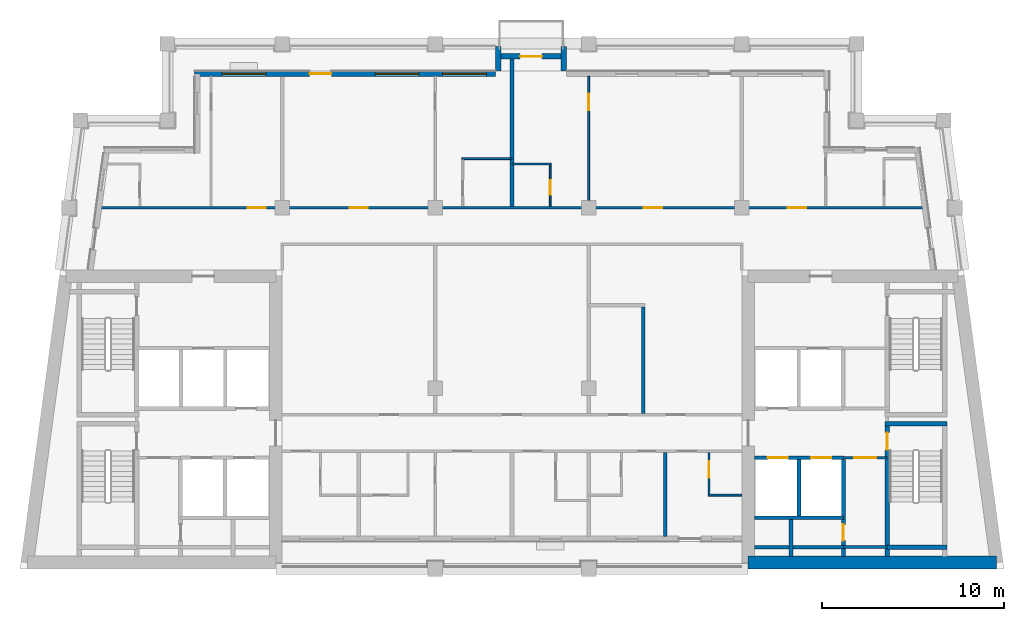
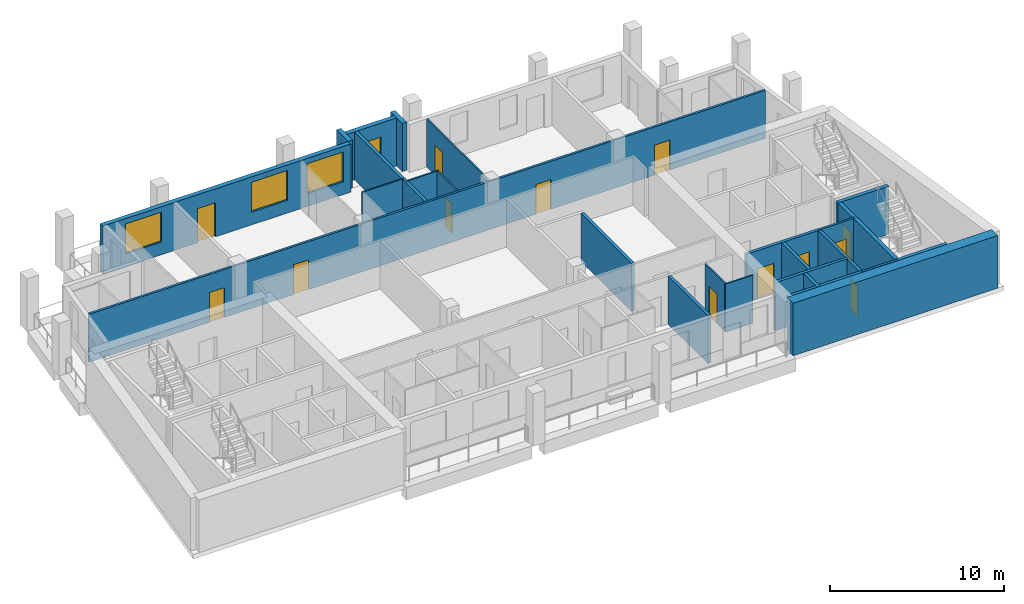
# One storey, part 4 of 10: 26 walls, 14 doors, 3 windows, 17 openings.
"""IFC4 building model written with IfcOpenShell, lengths in metres."""

from ifc_helpers import new_model, si_unit, direction, frame, frame_2d, origin, place, context, subcontext, project, spatial, rectangle, extrude, material, layer, layer_set, type_object, element, fill, save


model = new_model("IFC4")

# Units and contexts
model_context = context("Model", 3, precision=1e-05, world=origin(), true_north=direction((0.0, 1.0)))
body_context = subcontext(model_context, "Body", "Model", "MODEL_VIEW")
ifc_project = project(units=[si_unit("LENGTHUNIT", "METRE"), si_unit("AREAUNIT", "SQUARE_METRE"), si_unit("VOLUMEUNIT", "CUBIC_METRE"), si_unit("PLANEANGLEUNIT", "RADIAN"), si_unit("MASSUNIT", "GRAM", prefix="KILO")], contexts=[model_context])

# Site, building, storey
site_placement = place(None, origin())
site = spatial("IfcSite", under=ifc_project, at=site_placement, CompositionType="ELEMENT")
building_placement = place(site_placement, origin())
building = spatial("IfcBuilding", under=site, at=building_placement, Name="Candeia Pilgrim Tower and Theatre", CompositionType="ELEMENT")
storey_placement = place(building_placement, frame((0.0, 0.0, 284.89990234375)))
storey = spatial("IfcBuildingStorey", under=building, at=storey_placement, Name="L69", CompositionType="ELEMENT", Elevation=284.89990234375)

# Wall
ifc_material_1 = material(Name="Concrete C40/50", Category="concrete")
ifc_layer_1 = layer(ifc_material_1, 0.699951171875)
ifc_layer_set_1 = layer_set([ifc_layer_1], Name="Core wall 700 C40/50")
wall_type_1 = type_object("IfcWallType", Name="Core wall 700 C40/50", PredefinedType="SHEAR", material=ifc_layer_set_1)
wall_1_placement = place(storey_placement, frame((139.9765625, 116.35009765625, 0.0), z_axis=(0.0, 0.0, 1.0), x_axis=(-1.0, 0.0, 0.0)))
element("IfcWall", 1, at=wall_1_placement, inside=storey, type_object=wall_type_1, Name="Core wall E3", PredefinedType="SHEAR", context=body_context, shape_type="SweptSolid", body=[
    extrude(rectangle(XDim=13.62646484375, YDim=0.699951171875, at=frame_2d((6.813232421875, 0.0))), origin(), (0.0, 0.0, 1.0), 3.7001953125),
])

# Wall, openings, door, windows
ifc_material_2 = material(Name="Ceramic block masonry", Category="masonry")
ifc_layer_2 = layer(ifc_material_2, 0.300048828125)
ifc_layer_set_2 = layer_set([ifc_layer_2], Name="EW1 glazing-line wall 300")
wall_type_2 = type_object("IfcWallType", Name="EW1 glazing-line wall 300", PredefinedType="SOLIDWALL", material=ifc_layer_set_2)
wall_2_placement = place(storey_placement, frame((112.5, 143.14990234375, 0.0), z_axis=(0.0, 0.0, 1.0), x_axis=(-1.0, 0.0, 0.0)))
wall_2 = element("IfcWall", 2, at=wall_2_placement, inside=storey, type_object=wall_type_2, Name="External wall L69-5.1", PredefinedType="SOLIDWALL", context=body_context, shape_type="SweptSolid", body=[
    extrude(rectangle(XDim=16.5, YDim=0.300048828125, at=frame_2d((8.25, 0.0))), origin(), (0.0, 0.0, 1.0), 3.380126953125),
])
opening_1_placement = place(wall_2_placement, frame((0.5, 0.0, 0.89990234375)))
opening_1 = element("IfcOpeningElement", 3, at=opening_1_placement, cuts=wall_2, Name="Opening W-A", PredefinedType="OPENING", context=body_context, shape_type="SweptSolid", body=[
    extrude(rectangle(XDim=2.39990234375, YDim=2.10009765625, at=frame_2d((1.199951171875, 1.050048828125))), frame((0.0, 0.16015625, 0.0), z_axis=(0.0, -1.0, 0.0), x_axis=(1.0, 0.0, 0.0)), (0.0, 0.0, 1.0), 0.320068359375),
])
opening_2_placement = place(wall_2_placement, frame((4.199951171875, 0.0, 0.89990234375)))
opening_2 = element("IfcOpeningElement", 4, at=opening_2_placement, cuts=wall_2, Name="Opening W-A", PredefinedType="OPENING", context=body_context, shape_type="SweptSolid", body=[
    extrude(rectangle(XDim=2.39990234375, YDim=2.10009765625, at=frame_2d((1.199951171875, 1.050048828125))), frame((0.0, 0.16015625, 0.0), z_axis=(0.0, -1.0, 0.0), x_axis=(1.0, 0.0, 0.0)), (0.0, 0.0, 1.0), 0.320068359375),
])
opening_3_placement = place(wall_2_placement, frame((9.0, 0.0, 0.0)))
opening_3 = element("IfcOpeningElement", 5, at=opening_3_placement, cuts=wall_2, Name="Opening L69-ED651", PredefinedType="OPENING", context=body_context, shape_type="SweptSolid", body=[
    extrude(rectangle(XDim=1.199951171875, YDim=2.39990234375, at=frame_2d((0.60009765625, 1.199951171875))), frame((0.0, 0.16015625, 0.0), z_axis=(0.0, -1.0, 0.0), x_axis=(1.0, 0.0, 0.0)), (0.0, 0.0, 1.0), 0.320068359375),
])
opening_4_placement = place(wall_2_placement, frame((12.60009765625, 0.0, 0.89990234375)))
opening_4 = element("IfcOpeningElement", 6, at=opening_4_placement, cuts=wall_2, Name="Opening W-A", PredefinedType="OPENING", context=body_context, shape_type="SweptSolid", body=[
    extrude(rectangle(XDim=2.39990234375, YDim=2.10009765625, at=frame_2d((1.199951171875, 1.050048828125))), frame((0.0, 0.16015625, 0.0), z_axis=(0.0, -1.0, 0.0), x_axis=(1.0, 0.0, 0.0)), (0.0, 0.0, 1.0), 0.320068359375),
])
ifc_material_3 = material(Name="Aluminium framed glazed door", Category="aluminium")
door_type_1 = type_object("IfcDoorType", Name="Loggia door 1200x2400", OperationType="DOUBLE_DOOR_SINGLE_SWING", PredefinedType="DOOR", material=ifc_material_3)
door_1_placement = place(opening_3_placement, origin())
door_1 = element("IfcDoor", 7, at=door_1_placement, inside=storey, type_object=door_type_1, Name="Loggia door L69-ED651", OperationType="DOUBLE_DOOR_SINGLE_SWING", OverallHeight=2.39990234375, OverallWidth=1.199951171875, PredefinedType="DOOR", context=body_context, shape_type="SweptSolid", body=[
    extrude(rectangle(XDim=1.199951171875, YDim=2.39990234375, at=frame_2d((0.60009765625, 1.199951171875))), frame((0.0, 0.02490234375, 0.0), z_axis=(0.0, -1.0, 0.0), x_axis=(1.0, 0.0, 0.0)), (0.0, 0.0, 1.0), 0.050048828125),
])
fill(opening_3, door_1)
ifc_material_4 = material(Name="Aluminium framed double glazing", Category="aluminium")
window_type = type_object("IfcWindowType", Name="W-A window 2400x2100", PartitioningType="DOUBLE_PANEL_VERTICAL", PredefinedType="WINDOW", material=ifc_material_4)
window_1_placement = place(opening_1_placement, origin())
window_1 = element("IfcWindow", 8, at=window_1_placement, inside=storey, type_object=window_type, Name="Window W-A L69", OverallHeight=2.10009765625, OverallWidth=2.39990234375, PartitioningType="SINGLE_PANEL", PredefinedType="WINDOW", context=body_context, shape_type="SweptSolid", body=[
    extrude(rectangle(XDim=2.39990234375, YDim=2.10009765625, at=frame_2d((1.199951171875, 1.050048828125))), frame((0.0, 0.030029296875, 0.0), z_axis=(0.0, -1.0, 0.0), x_axis=(1.0, 0.0, 0.0)), (0.0, 0.0, 1.0), 0.06005859375),
])
fill(opening_1, window_1)
window_2_placement = place(opening_2_placement, origin())
window_2 = element("IfcWindow", 9, at=window_2_placement, inside=storey, type_object=window_type, Name="Window W-A L69", OverallHeight=2.10009765625, OverallWidth=2.39990234375, PartitioningType="SINGLE_PANEL", PredefinedType="WINDOW", context=body_context, shape_type="SweptSolid", body=[
    extrude(rectangle(XDim=2.39990234375, YDim=2.10009765625, at=frame_2d((1.199951171875, 1.050048828125))), frame((0.0, 0.030029296875, 0.0), z_axis=(0.0, -1.0, 0.0), x_axis=(1.0, 0.0, 0.0)), (0.0, 0.0, 1.0), 0.06005859375),
])
fill(opening_2, window_2)
window_3_placement = place(opening_4_placement, origin())
window_3 = element("IfcWindow", 10, at=window_3_placement, inside=storey, type_object=window_type, Name="Window W-A L69", OverallHeight=2.10009765625, OverallWidth=2.39990234375, PartitioningType="SINGLE_PANEL", PredefinedType="WINDOW", context=body_context, shape_type="SweptSolid", body=[
    extrude(rectangle(XDim=2.39990234375, YDim=2.10009765625, at=frame_2d((1.199951171875, 1.050048828125))), frame((0.0, 0.030029296875, 0.0), z_axis=(0.0, -1.0, 0.0), x_axis=(1.0, 0.0, 0.0)), (0.0, 0.0, 1.0), 0.06005859375),
])
fill(opening_4, window_3)

# Walls
ifc_layer_3 = layer(ifc_material_2, 0.300048828125)
ifc_layer_set_3 = layer_set([ifc_layer_3], Name="EW2 entrance infill wall 300")
wall_type_3 = type_object("IfcWallType", Name="EW2 entrance infill wall 300", PredefinedType="SOLIDWALL", material=ifc_layer_set_3)
for number, where, z_axis, x_axis, name in (
    (11, (116.25, 143.300048828125, 0.0), (0.0, 0.0, 1.0), (0.0, 1.0, 0.0), "Alcove wall L69"),
    (12, (112.64990234375, 143.300048828125, 0.0), (0.0, 0.0, 1.0), (0.0, 1.0, 0.0), "Alcove wall L69"),
):
    element("IfcWall", number, at=place(storey_placement, frame(where, z_axis=z_axis, x_axis=x_axis)), inside=storey, type_object=wall_type_3, Name=name, PredefinedType="SOLIDWALL", context=body_context, shape_type="SweptSolid", body=[
        extrude(rectangle(XDim=1.349853515625, YDim=0.300048828125, at=frame_2d((0.6748046875, 0.0))), origin(), (0.0, 0.0, 1.0), 3.380126953125),
    ])

# Wall, opening, door
wall_3_placement = place(storey_placement, frame((116.39990234375, 144.10009765625, 0.0), z_axis=(0.0, 0.0, 1.0), x_axis=(-1.0, 0.0, 0.0)))
wall_3 = element("IfcWall", 13, at=wall_3_placement, inside=storey, type_object=wall_type_3, Name="Alcove wall L69", PredefinedType="SOLIDWALL", context=body_context, shape_type="SweptSolid", body=[
    extrude(rectangle(XDim=3.89990234375, YDim=0.300048828125, at=frame_2d((1.949951171875, 0.0))), origin(), (0.0, 0.0, 1.0), 3.380126953125),
])
opening_5_placement = place(wall_3_placement, frame((1.35009765625, 0.0, 0.0)))
opening_5 = element("IfcOpeningElement", 14, at=opening_5_placement, cuts=wall_3, Name="Opening L69-ED652", PredefinedType="OPENING", context=body_context, shape_type="SweptSolid", body=[
    extrude(rectangle(XDim=1.199951171875, YDim=2.39990234375, at=frame_2d((0.60009765625, 1.199951171875))), frame((0.0, 0.16015625, 0.0), z_axis=(0.0, -1.0, 0.0), x_axis=(1.0, 0.0, 0.0)), (0.0, 0.0, 1.0), 0.320068359375),
])
door_2_placement = place(opening_5_placement, origin())
door_2 = element("IfcDoor", 15, at=door_2_placement, inside=storey, type_object=door_type_1, Name="Balcony door L69-ED652", OperationType="DOUBLE_DOOR_SINGLE_SWING", OverallHeight=2.39990234375, OverallWidth=1.199951171875, PredefinedType="DOOR", context=body_context, shape_type="SweptSolid", body=[
    extrude(rectangle(XDim=1.199951171875, YDim=2.39990234375, at=frame_2d((0.60009765625, 1.199951171875))), frame((0.0, 0.02490234375, 0.0), z_axis=(0.0, -1.0, 0.0), x_axis=(1.0, 0.0, 0.0)), (0.0, 0.0, 1.0), 0.050048828125),
])
fill(opening_5, door_2)

# Walls
ifc_material_5 = material(Name="Gypsum board partition on steel studs", Category="steel")
ifc_layer_4 = layer(ifc_material_5, 0.10009765625)
ifc_layer_set_4 = layer_set([ifc_layer_4], Name="PW-100 room partition")
wall_type_4 = type_object("IfcWallType", Name="PW-100 room partition", PredefinedType="PARTITIONING", material=ifc_layer_set_4)
wall_4_placement = place(storey_placement, frame((124.14990234375, 120.050048828125, 0.0), z_axis=(0.0, 0.0, 1.0), x_axis=(1.0, 0.0, 0.0)))
element("IfcWall", 16, at=wall_4_placement, inside=storey, type_object=wall_type_4, Name="Room partition L69-012", PredefinedType="PARTITIONING", context=body_context, shape_type="SweptSolid", body=[
    extrude(rectangle(XDim=1.85009765625, YDim=0.10009765625, at=frame_2d((0.925048828125, 0.0))), origin(), (0.0, 0.0, 1.0), 3.380126953125),
])
wall_5_placement = place(storey_placement, frame((113.39990234375, 138.199951171875, 0.0), z_axis=(0.0, 0.0, 1.0), x_axis=(1.0, 0.0, 0.0)))
element("IfcWall", 17, at=wall_5_placement, inside=storey, type_object=wall_type_4, Name="Room partition L69-035", PredefinedType="PARTITIONING", context=body_context, shape_type="SweptSolid", body=[
    extrude(rectangle(XDim=2.150146484375, YDim=0.10009765625, at=frame_2d((1.0751953125, 0.0))), origin(), (0.0, 0.0, 1.0), 3.380126953125),
])
wall_6_placement = place(storey_placement, frame((110.64990234375, 138.5, 0.0), z_axis=(0.0, 0.0, 1.0), x_axis=(1.0, 0.0, 0.0)))
element("IfcWall", 18, at=wall_6_placement, inside=storey, type_object=wall_type_4, Name="Room partition L69-036", PredefinedType="PARTITIONING", context=body_context, shape_type="SweptSolid", body=[
    extrude(rectangle(XDim=2.75, YDim=0.10009765625, at=frame_2d((1.375, 0.0))), origin(), (0.0, 0.0, 1.0), 3.380126953125),
])

# Wall, opening, door
wall_7_placement = place(storey_placement, frame((115.5, 135.875, 0.0), z_axis=(0.0, 0.0, 1.0), x_axis=(0.0, 1.0, 0.0)))
wall_7 = element("IfcWall", 19, at=wall_7_placement, inside=storey, type_object=wall_type_4, Name="Room partition L69-061", PredefinedType="PARTITIONING", context=body_context, shape_type="SweptSolid", body=[
    extrude(rectangle(XDim=2.27490234375, YDim=0.10009765625, at=frame_2d((1.137451171875, 0.0))), origin(), (0.0, 0.0, 1.0), 3.380126953125),
])
opening_6_placement = place(wall_7_placement, frame((0.635009765625, 0.0, 0.0)))
opening_6 = element("IfcOpeningElement", 20, at=opening_6_placement, cuts=wall_7, Name="Opening L69-D028", PredefinedType="OPENING", context=body_context, shape_type="SweptSolid", body=[
    extrude(rectangle(XDim=0.800048828125, YDim=2.10009765625, at=frame_2d((0.39990234375, 1.050048828125))), frame((0.0, 0.06005859375, 0.0), z_axis=(0.0, -1.0, 0.0), x_axis=(1.0, 0.0, 0.0)), (0.0, 0.0, 1.0), 0.1201171875),
])
ifc_material_6 = material(Name="Timber door leaf", Category="wood")
door_type_2 = type_object("IfcDoorType", Name="D-800", OperationType="NOTDEFINED", PredefinedType="DOOR", material=ifc_material_6)
door_3_placement = place(opening_6_placement, origin())
door_3 = element("IfcDoor", 21, at=door_3_placement, inside=storey, type_object=door_type_2, Name="Door L69-D028", OperationType="SINGLE_SWING_LEFT", OverallHeight=2.10009765625, OverallWidth=0.800048828125, PredefinedType="DOOR", context=body_context, shape_type="SweptSolid", body=[
    extrude(rectangle(XDim=0.800048828125, YDim=2.10009765625, at=frame_2d((0.39990234375, 1.050048828125))), frame((0.0, 0.02490234375, 0.0), z_axis=(0.0, -1.0, 0.0), x_axis=(1.0, 0.0, 0.0)), (0.0, 0.0, 1.0), 0.050048828125),
])
fill(opening_6, door_3)

wall_8_placement = place(storey_placement, frame((117.60009765625, 135.875, 0.0), z_axis=(0.0, 0.0, 1.0), x_axis=(0.0, 1.0, 0.0)))
wall_8 = element("IfcWall", 22, at=wall_8_placement, inside=storey, type_object=wall_type_4, Name="Room partition L69-063", PredefinedType="PARTITIONING", context=body_context, shape_type="SweptSolid", body=[
    extrude(rectangle(XDim=7.135009765625, YDim=0.10009765625, at=frame_2d((3.5673828125, 0.0))), origin(), (0.0, 0.0, 1.0), 3.380126953125),
])
opening_7_placement = place(wall_8_placement, frame((5.2900390625, 0.0, 0.0)))
opening_7 = element("IfcOpeningElement", 23, at=opening_7_placement, cuts=wall_8, Name="Opening L69-D027", PredefinedType="OPENING", context=body_context, shape_type="SweptSolid", body=[
    extrude(rectangle(XDim=0.89990234375, YDim=2.10009765625, at=frame_2d((0.449951171875, 1.050048828125))), frame((0.0, 0.06005859375, 0.0), z_axis=(0.0, -1.0, 0.0), x_axis=(1.0, 0.0, 0.0)), (0.0, 0.0, 1.0), 0.1201171875),
])
door_type_3 = type_object("IfcDoorType", Name="D-900", OperationType="NOTDEFINED", PredefinedType="DOOR", material=ifc_material_6)
door_4_placement = place(opening_7_placement, origin())
door_4 = element("IfcDoor", 24, at=door_4_placement, inside=storey, type_object=door_type_3, Name="Door L69-D027", OperationType="SINGLE_SWING_RIGHT", OverallHeight=2.10009765625, OverallWidth=0.89990234375, PredefinedType="DOOR", context=body_context, shape_type="SweptSolid", body=[
    extrude(rectangle(XDim=0.89990234375, YDim=2.10009765625, at=frame_2d((0.449951171875, 1.050048828125))), frame((0.0, 0.02490234375, 0.0), z_axis=(0.0, -1.0, 0.0), x_axis=(1.0, 0.0, 0.0)), (0.0, 0.0, 1.0), 0.050048828125),
])
fill(opening_7, door_4)

wall_9_placement = place(storey_placement, frame((124.199951171875, 120.10009765625, 0.0), z_axis=(0.0, 0.0, 1.0), x_axis=(0.0, 1.0, 0.0)))
wall_9 = element("IfcWall", 25, at=wall_9_placement, inside=storey, type_object=wall_type_4, Name="Room partition L69-069", PredefinedType="PARTITIONING", context=body_context, shape_type="SweptSolid", body=[
    extrude(rectangle(XDim=2.27490234375, YDim=0.10009765625, at=frame_2d((1.137451171875, 0.0))), origin(), (0.0, 0.0, 1.0), 3.380126953125),
])
opening_8_placement = place(wall_9_placement, frame((0.89990234375, 0.0, 0.0)))
opening_8 = element("IfcOpeningElement", 26, at=opening_8_placement, cuts=wall_9, Name="Opening L69-D019", PredefinedType="OPENING", context=body_context, shape_type="SweptSolid", body=[
    extrude(rectangle(XDim=0.89990234375, YDim=2.10009765625, at=frame_2d((0.449951171875, 1.050048828125))), frame((0.0, 0.06005859375, 0.0), z_axis=(0.0, -1.0, 0.0), x_axis=(1.0, 0.0, 0.0)), (0.0, 0.0, 1.0), 0.1201171875),
])
door_5_placement = place(opening_8_placement, origin())
door_5 = element("IfcDoor", 27, at=door_5_placement, inside=storey, type_object=door_type_3, Name="Door L69-D019", OperationType="SINGLE_SWING_RIGHT", OverallHeight=2.10009765625, OverallWidth=0.89990234375, PredefinedType="DOOR", context=body_context, shape_type="SweptSolid", body=[
    extrude(rectangle(XDim=0.89990234375, YDim=2.10009765625, at=frame_2d((0.449951171875, 1.050048828125))), frame((0.0, 0.02490234375, 0.0), z_axis=(0.0, -1.0, 0.0), x_axis=(1.0, 0.0, 0.0)), (0.0, 0.0, 1.0), 0.050048828125),
])
fill(opening_8, door_5)

# Wall
ifc_layer_5 = layer(ifc_material_5, 0.14990234375)
ifc_layer_set_5 = layer_set([ifc_layer_5], Name="PW-150 lobby wall")
wall_type_5 = type_object("IfcWallType", Name="PW-150 lobby wall", PredefinedType="PARTITIONING", material=ifc_layer_set_5)
wall_10_placement = place(storey_placement, frame((131.572998046875, 117.199951171875, 0.0), z_axis=(0.0, 0.0, 1.0), x_axis=(1.0, 0.0, 0.0)))
element("IfcWall", 28, at=wall_10_placement, inside=storey, type_object=wall_type_5, Name="Lobby wall L69-004", PredefinedType="PARTITIONING", context=body_context, shape_type="SweptSolid", body=[
    extrude(rectangle(XDim=2.39990234375, YDim=0.14990234375, at=frame_2d((1.199951171875, 0.0))), origin(), (0.0, 0.0, 1.0), 3.380126953125),
])

# Wall, opening, door
wall_11_placement = place(storey_placement, frame((131.572998046875, 122.10009765625, 0.0), z_axis=(0.0, 0.0, 1.0), x_axis=(1.0, 0.0, 0.0)))
wall_11 = element("IfcWall", 29, at=wall_11_placement, inside=storey, type_object=wall_type_5, Name="Lobby wall L69-016", PredefinedType="PARTITIONING", context=body_context, shape_type="SweptSolid", body=[
    extrude(rectangle(XDim=2.39990234375, YDim=0.14990234375, at=frame_2d((1.199951171875, 0.0))), origin(), (0.0, 0.0, 1.0), 3.380126953125),
])
opening_9_placement = place(wall_11_placement, frame((0.60009765625, 0.0, 0.0)))
opening_9 = element("IfcOpeningElement", 30, at=opening_9_placement, cuts=wall_11, Name="Opening L69-D005", PredefinedType="OPENING", context=body_context, shape_type="SweptSolid", body=[
    extrude(rectangle(XDim=1.199951171875, YDim=2.10009765625, at=frame_2d((0.60009765625, 1.050048828125))), frame((0.0, 0.0849609375, 0.0), z_axis=(0.0, -1.0, 0.0), x_axis=(1.0, 0.0, 0.0)), (0.0, 0.0, 1.0), 0.169921875),
])
ifc_material_7 = material(Name="Steel fire door set", Category="steel")
door_type_4 = type_object("IfcDoorType", Name="D-1200-FD60", OperationType="NOTDEFINED", PredefinedType="DOOR", material=ifc_material_7)
door_6_placement = place(opening_9_placement, origin())
door_6 = element("IfcDoor", 31, at=door_6_placement, inside=storey, type_object=door_type_4, Name="Door L69-D005", OperationType="SINGLE_SWING_RIGHT", OverallHeight=2.10009765625, OverallWidth=1.199951171875, PredefinedType="DOOR", context=body_context, shape_type="SweptSolid", body=[
    extrude(rectangle(XDim=1.199951171875, YDim=2.10009765625, at=frame_2d((0.60009765625, 1.050048828125))), frame((0.0, 0.02490234375, 0.0), z_axis=(0.0, -1.0, 0.0), x_axis=(1.0, 0.0, 0.0)), (0.0, 0.0, 1.0), 0.050048828125),
])
fill(opening_9, door_6)

# Wall, openings, doors
ifc_layer_6 = layer(ifc_material_5, 0.14990234375)
ifc_layer_set_6 = layer_set([ifc_layer_6], Name="PW-150 unit wall")
wall_type_6 = type_object("IfcWallType", Name="PW-150 unit wall", PredefinedType="PARTITIONING", material=ifc_layer_set_6)
wall_12_placement = place(storey_placement, frame((90.89453125, 135.800048828125, 0.0), z_axis=(0.0, 0.0, 1.0), x_axis=(1.0, 0.0, 0.0)))
wall_12 = element("IfcWall", 32, at=wall_12_placement, inside=storey, type_object=wall_type_6, Name="Unit wall L69-033", PredefinedType="PARTITIONING", context=body_context, shape_type="SweptSolid", body=[
    extrude(rectangle(XDim=45.010986328125, YDim=0.14990234375, at=frame_2d((22.50537109375, 0.0))), origin(), (0.0, 0.0, 1.0), 3.380126953125),
])
opening_10_placement = place(wall_12_placement, frame((8.00537109375, 0.0, 0.0)))
opening_10 = element("IfcOpeningElement", 33, at=opening_10_placement, cuts=wall_12, Name="Opening L69-D020", PredefinedType="OPENING", context=body_context, shape_type="SweptSolid", body=[
    extrude(rectangle(XDim=1.0, YDim=2.10009765625, at=frame_2d((0.5, 1.050048828125))), frame((0.0, 0.0849609375, 0.0), z_axis=(0.0, -1.0, 0.0), x_axis=(1.0, 0.0, 0.0)), (0.0, 0.0, 1.0), 0.169921875),
])
opening_11_placement = place(wall_12_placement, frame((13.60546875, 0.0, 0.0)))
opening_11 = element("IfcOpeningElement", 34, at=opening_11_placement, cuts=wall_12, Name="Opening L69-D023", PredefinedType="OPENING", context=body_context, shape_type="SweptSolid", body=[
    extrude(rectangle(XDim=1.0, YDim=2.10009765625, at=frame_2d((0.5, 1.050048828125))), frame((0.0, 0.0849609375, 0.0), z_axis=(0.0, -1.0, 0.0), x_axis=(1.0, 0.0, 0.0)), (0.0, 0.0, 1.0), 0.169921875),
])
opening_12_placement = place(wall_12_placement, frame((29.7353515625, 0.0, 0.0)))
opening_12 = element("IfcOpeningElement", 35, at=opening_12_placement, cuts=wall_12, Name="Opening L69-D026", PredefinedType="OPENING", context=body_context, shape_type="SweptSolid", body=[
    extrude(rectangle(XDim=1.0, YDim=2.10009765625, at=frame_2d((0.5, 1.050048828125))), frame((0.0, 0.0849609375, 0.0), z_axis=(0.0, -1.0, 0.0), x_axis=(1.0, 0.0, 0.0)), (0.0, 0.0, 1.0), 0.169921875),
])
opening_13_placement = place(wall_12_placement, frame((37.63037109375, 0.0, 0.0)))
opening_13 = element("IfcOpeningElement", 36, at=opening_13_placement, cuts=wall_12, Name="Opening L69-D029", PredefinedType="OPENING", context=body_context, shape_type="SweptSolid", body=[
    extrude(rectangle(XDim=1.0, YDim=2.10009765625, at=frame_2d((0.5, 1.050048828125))), frame((0.0, 0.0849609375, 0.0), z_axis=(0.0, -1.0, 0.0), x_axis=(1.0, 0.0, 0.0)), (0.0, 0.0, 1.0), 0.169921875),
])
door_type_5 = type_object("IfcDoorType", Name="D-1000-FD30S", OperationType="NOTDEFINED", PredefinedType="DOOR", material=ifc_material_7)
door_7_placement = place(opening_10_placement, origin())
door_7 = element("IfcDoor", 37, at=door_7_placement, inside=storey, type_object=door_type_5, Name="Door L69-D020", OperationType="SINGLE_SWING_LEFT", OverallHeight=2.10009765625, OverallWidth=1.0, PredefinedType="DOOR", context=body_context, shape_type="SweptSolid", body=[
    extrude(rectangle(XDim=1.0, YDim=2.10009765625, at=frame_2d((0.5, 1.050048828125))), frame((0.0, 0.02490234375, 0.0), z_axis=(0.0, -1.0, 0.0), x_axis=(1.0, 0.0, 0.0)), (0.0, 0.0, 1.0), 0.050048828125),
])
fill(opening_10, door_7)
door_8_placement = place(opening_11_placement, origin())
door_8 = element("IfcDoor", 38, at=door_8_placement, inside=storey, type_object=door_type_5, Name="Door L69-D023", OperationType="SINGLE_SWING_RIGHT", OverallHeight=2.10009765625, OverallWidth=1.0, PredefinedType="DOOR", context=body_context, shape_type="SweptSolid", body=[
    extrude(rectangle(XDim=1.0, YDim=2.10009765625, at=frame_2d((0.5, 1.050048828125))), frame((0.0, 0.02490234375, 0.0), z_axis=(0.0, -1.0, 0.0), x_axis=(1.0, 0.0, 0.0)), (0.0, 0.0, 1.0), 0.050048828125),
])
fill(opening_11, door_8)
door_9_placement = place(opening_12_placement, origin())
door_9 = element("IfcDoor", 39, at=door_9_placement, inside=storey, type_object=door_type_5, Name="Door L69-D026", OperationType="SINGLE_SWING_LEFT", OverallHeight=2.10009765625, OverallWidth=1.0, PredefinedType="DOOR", context=body_context, shape_type="SweptSolid", body=[
    extrude(rectangle(XDim=1.0, YDim=2.10009765625, at=frame_2d((0.5, 1.050048828125))), frame((0.0, 0.02490234375, 0.0), z_axis=(0.0, -1.0, 0.0), x_axis=(1.0, 0.0, 0.0)), (0.0, 0.0, 1.0), 0.050048828125),
])
fill(opening_12, door_9)
door_10_placement = place(opening_13_placement, origin())
door_10 = element("IfcDoor", 40, at=door_10_placement, inside=storey, type_object=door_type_5, Name="Door L69-D029", OperationType="SINGLE_SWING_RIGHT", OverallHeight=2.10009765625, OverallWidth=1.0, PredefinedType="DOOR", context=body_context, shape_type="SweptSolid", body=[
    extrude(rectangle(XDim=1.0, YDim=2.10009765625, at=frame_2d((0.5, 1.050048828125))), frame((0.0, 0.02490234375, 0.0), z_axis=(0.0, -1.0, 0.0), x_axis=(1.0, 0.0, 0.0)), (0.0, 0.0, 1.0), 0.050048828125),
])
fill(opening_13, door_10)

# Walls
ifc_layer_7 = layer(ifc_material_5, 0.199951171875)
ifc_layer_set_7 = layer_set([ifc_layer_7], Name="PW-200 party wall")
wall_type_7 = type_object("IfcWallType", Name="PW-200 party wall", PredefinedType="PARTITIONING", material=ifc_layer_set_7)
wall_13_placement = place(storey_placement, frame((113.39990234375, 135.875, 0.0), z_axis=(0.0, 0.0, 1.0), x_axis=(0.0, 1.0, 0.0)))
element("IfcWall", 41, at=wall_13_placement, inside=storey, type_object=wall_type_7, Name="Party wall L69-060", PredefinedType="PARTITIONING", context=body_context, shape_type="SweptSolid", body=[
    extrude(rectangle(XDim=8.0849609375, YDim=0.199951171875, at=frame_2d((4.04248046875, 0.0))), origin(), (0.0, 0.0, 1.0), 3.380126953125),
])
wall_14_placement = place(storey_placement, frame((120.60009765625, 124.52490234375, 0.0), z_axis=(0.0, 0.0, 1.0), x_axis=(0.0, 1.0, 0.0)))
element("IfcWall", 42, at=wall_14_placement, inside=storey, type_object=wall_type_7, Name="Party wall L69-067", PredefinedType="PARTITIONING", context=body_context, shape_type="SweptSolid", body=[
    extrude(rectangle(XDim=5.8251953125, YDim=0.199951171875, at=frame_2d((2.91259765625, 0.0))), origin(), (0.0, 0.0, 1.0), 3.380126953125),
])
wall_15_placement = place(storey_placement, frame((121.800048828125, 117.7900390625, 0.0), z_axis=(0.0, 0.0, 1.0), x_axis=(0.0, 1.0, 0.0)))
element("IfcWall", 43, at=wall_15_placement, inside=storey, type_object=wall_type_7, Name="Party wall L69-068", PredefinedType="PARTITIONING", context=body_context, shape_type="SweptSolid", body=[
    extrude(rectangle(XDim=4.5849609375, YDim=0.199951171875, at=frame_2d((2.29248046875, 0.0))), origin(), (0.0, 0.0, 1.0), 3.380126953125),
])
ifc_layer_8 = layer(ifc_material_1, 0.199951171875)
ifc_layer_set_8 = layer_set([ifc_layer_8], Name="SW-200 shaft wall")
wall_type_8 = type_object("IfcWallType", Name="SW-200 shaft wall", PredefinedType="PARTITIONING", material=ifc_layer_set_8)
for number, where, z_axis, x_axis, name in (
    (44, (126.699951171875, 117.199951171875, 0.0), (0.0, 0.0, 1.0), (1.0, 0.0, 0.0), "Shaft wall L69-002"),
    (45, (126.699951171875, 118.800048828125, 0.0), (0.0, 0.0, 1.0), (1.0, 0.0, 0.0), "Shaft wall L69-008"),
):
    element("IfcWall", number, at=place(storey_placement, frame(where, z_axis=z_axis, x_axis=x_axis)), inside=storey, type_object=wall_type_8, Name=name, PredefinedType="PARTITIONING", context=body_context, shape_type="SweptSolid", body=[
        extrude(rectangle(XDim=4.873046875, YDim=0.199951171875, at=frame_2d((2.4365234375, 0.0))), origin(), (0.0, 0.0, 1.0), 3.380126953125),
    ])

# Wall, openings, doors
wall_16_placement = place(storey_placement, frame((126.699951171875, 122.10009765625, 0.0), z_axis=(0.0, 0.0, 1.0), x_axis=(1.0, 0.0, 0.0)))
wall_16 = element("IfcWall", 46, at=wall_16_placement, inside=storey, type_object=wall_type_8, Name="Shaft wall L69-014", PredefinedType="PARTITIONING", context=body_context, shape_type="SweptSolid", body=[
    extrude(rectangle(XDim=4.873046875, YDim=0.199951171875, at=frame_2d((2.4365234375, 0.0))), origin(), (0.0, 0.0, 1.0), 3.380126953125),
])
opening_14_placement = place(wall_16_placement, frame((3.10498046875, 0.0, 0.0)))
opening_14 = element("IfcOpeningElement", 47, at=opening_14_placement, cuts=wall_16, Name="Opening L69-LD05", PredefinedType="OPENING", context=body_context, shape_type="SweptSolid", body=[
    extrude(rectangle(XDim=1.10009765625, YDim=2.10009765625, at=frame_2d((0.550048828125, 1.050048828125))), frame((0.0, 0.10986328125, 0.0), z_axis=(0.0, -1.0, 0.0), x_axis=(1.0, 0.0, 0.0)), (0.0, 0.0, 1.0), 0.219970703125),
])
opening_15_placement = place(wall_16_placement, frame((0.73193359375, 0.0, 0.0)))
opening_15 = element("IfcOpeningElement", 48, at=opening_15_placement, cuts=wall_16, Name="Opening L69-LD06", PredefinedType="OPENING", context=body_context, shape_type="SweptSolid", body=[
    extrude(rectangle(XDim=1.10009765625, YDim=2.10009765625, at=frame_2d((0.550048828125, 1.050048828125))), frame((0.0, 0.10986328125, 0.0), z_axis=(0.0, -1.0, 0.0), x_axis=(1.0, 0.0, 0.0)), (0.0, 0.0, 1.0), 0.219970703125),
])
ifc_material_8 = material(Name="Glazed aluminium landing door", Category="aluminium")
door_type_6 = type_object("IfcDoorType", Name="LD-1100-EI120", OperationType="SLIDING_TO_LEFT", PredefinedType="DOOR", material=ifc_material_8)
door_11_placement = place(opening_14_placement, origin())
door_11 = element("IfcDoor", 49, at=door_11_placement, inside=storey, type_object=door_type_6, Name="Landing door 05 L69", OperationType="SLIDING_TO_LEFT", OverallHeight=2.10009765625, OverallWidth=1.10009765625, PredefinedType="DOOR", context=body_context, shape_type="SweptSolid", body=[
    extrude(rectangle(XDim=1.10009765625, YDim=2.10009765625, at=frame_2d((0.550048828125, 1.050048828125))), frame((0.0, 0.02490234375, 0.0), z_axis=(0.0, -1.0, 0.0), x_axis=(1.0, 0.0, 0.0)), (0.0, 0.0, 1.0), 0.050048828125),
])
fill(opening_14, door_11)
door_12_placement = place(opening_15_placement, origin())
door_12 = element("IfcDoor", 50, at=door_12_placement, inside=storey, type_object=door_type_6, Name="Landing door 06 L69", OperationType="SLIDING_TO_LEFT", OverallHeight=2.10009765625, OverallWidth=1.10009765625, PredefinedType="DOOR", context=body_context, shape_type="SweptSolid", body=[
    extrude(rectangle(XDim=1.10009765625, YDim=2.10009765625, at=frame_2d((0.550048828125, 1.050048828125))), frame((0.0, 0.02490234375, 0.0), z_axis=(0.0, -1.0, 0.0), x_axis=(1.0, 0.0, 0.0)), (0.0, 0.0, 1.0), 0.050048828125),
])
fill(opening_15, door_12)

# Walls
wall_17_placement = place(storey_placement, frame((128.699951171875, 116.669921875, 0.0), z_axis=(0.0, 0.0, 1.0), x_axis=(0.0, 1.0, 0.0)))
element("IfcWall", 51, at=wall_17_placement, inside=storey, type_object=wall_type_8, Name="Shaft wall L69-072", PredefinedType="PARTITIONING", context=body_context, shape_type="SweptSolid", body=[
    extrude(rectangle(XDim=2.030029296875, YDim=0.199951171875, at=frame_2d((1.01513671875, 0.0))), origin(), (0.0, 0.0, 1.0), 3.380126953125),
])
wall_18_placement = place(storey_placement, frame((129.136474609375, 118.89990234375, 0.0), z_axis=(0.0, 0.0, 1.0), x_axis=(0.0, 1.0, 0.0)))
element("IfcWall", 52, at=wall_18_placement, inside=storey, type_object=wall_type_8, Name="Shaft wall L69-074", PredefinedType="PARTITIONING", context=body_context, shape_type="SweptSolid", body=[
    extrude(rectangle(XDim=3.10009765625, YDim=0.199951171875, at=frame_2d((1.550048828125, 0.0))), origin(), (0.0, 0.0, 1.0), 3.380126953125),
])

# Wall, opening, door
wall_19_placement = place(storey_placement, frame((131.572998046875, 116.669921875, 0.0), z_axis=(0.0, 0.0, 1.0), x_axis=(0.0, 1.0, 0.0)))
wall_19 = element("IfcWall", 53, at=wall_19_placement, inside=storey, type_object=wall_type_8, Name="Shaft wall L69-077", PredefinedType="PARTITIONING", context=body_context, shape_type="SweptSolid", body=[
    extrude(rectangle(XDim=5.330078125, YDim=0.199951171875, at=frame_2d((2.6650390625, 0.0))), origin(), (0.0, 0.0, 1.0), 3.380126953125),
])
opening_16_placement = place(wall_19_placement, frame((0.8798828125, 0.0, 0.0)))
opening_16 = element("IfcOpeningElement", 54, at=opening_16_placement, cuts=wall_19, Name="Opening L69-D008", PredefinedType="OPENING", context=body_context, shape_type="SweptSolid", body=[
    extrude(rectangle(XDim=0.89990234375, YDim=2.10009765625, at=frame_2d((0.449951171875, 1.050048828125))), frame((0.0, 0.10986328125, 0.0), z_axis=(0.0, -1.0, 0.0), x_axis=(1.0, 0.0, 0.0)), (0.0, 0.0, 1.0), 0.219970703125),
])
door_type_7 = type_object("IfcDoorType", Name="D-900-FD60", OperationType="NOTDEFINED", PredefinedType="DOOR", material=ifc_material_7)
door_13_placement = place(opening_16_placement, origin())
door_13 = element("IfcDoor", 55, at=door_13_placement, inside=storey, type_object=door_type_7, Name="Door L69-D008", OperationType="SINGLE_SWING_LEFT", OverallHeight=2.10009765625, OverallWidth=0.89990234375, PredefinedType="DOOR", context=body_context, shape_type="SweptSolid", body=[
    extrude(rectangle(XDim=0.89990234375, YDim=2.10009765625, at=frame_2d((0.449951171875, 1.050048828125))), frame((0.0, 0.02490234375, 0.0), z_axis=(0.0, -1.0, 0.0), x_axis=(1.0, 0.0, 0.0)), (0.0, 0.0, 1.0), 0.050048828125),
])
fill(opening_16, door_13)

# Walls
ifc_layer_9 = layer(ifc_material_1, 0.25)
ifc_layer_set_9 = layer_set([ifc_layer_9], Name="SW-250 stair wall")
wall_type_9 = type_object("IfcWallType", Name="SW-250 stair wall", PredefinedType="PARTITIONING", material=ifc_layer_set_9)
wall_20_placement = place(storey_placement, frame((133.972900390625, 117.199951171875, 0.0), z_axis=(0.0, 0.0, 1.0), x_axis=(1.0, 0.0, 0.0)))
element("IfcWall", 56, at=wall_20_placement, inside=storey, type_object=wall_type_9, Name="Stair wall L69-006", PredefinedType="PARTITIONING", context=body_context, shape_type="SweptSolid", body=[
    extrude(rectangle(XDim=3.275146484375, YDim=0.25, at=frame_2d((1.6376953125, 0.0))), origin(), (0.0, 0.0, 1.0), 3.380126953125),
])
wall_21_placement = place(storey_placement, frame((133.847900390625, 123.949951171875, 0.0), z_axis=(0.0, 0.0, 1.0), x_axis=(1.0, 0.0, 0.0)))
element("IfcWall", 57, at=wall_21_placement, inside=storey, type_object=wall_type_9, Name="Stair wall L69-019", PredefinedType="PARTITIONING", context=body_context, shape_type="SweptSolid", body=[
    extrude(rectangle(XDim=3.400146484375, YDim=0.25, at=frame_2d((1.7001953125, 0.0))), origin(), (0.0, 0.0, 1.0), 3.380126953125),
])

# Wall, opening, door
wall_22_placement = place(storey_placement, frame((133.972900390625, 116.669921875, 0.0), z_axis=(0.0, 0.0, 1.0), x_axis=(0.0, 1.0, 0.0)))
wall_22 = element("IfcWall", 58, at=wall_22_placement, inside=storey, type_object=wall_type_9, Name="Stair wall L69-080", PredefinedType="PARTITIONING", context=body_context, shape_type="SweptSolid", body=[
    extrude(rectangle(XDim=7.155029296875, YDim=0.25, at=frame_2d((3.57763671875, 0.0))), origin(), (0.0, 0.0, 1.0), 3.380126953125),
])
opening_17_placement = place(wall_22_placement, frame((5.85498046875, 0.0, 0.0)))
opening_17 = element("IfcOpeningElement", 59, at=opening_17_placement, cuts=wall_22, Name="Opening L69-D006", PredefinedType="OPENING", context=body_context, shape_type="SweptSolid", body=[
    extrude(rectangle(XDim=0.949951171875, YDim=2.10009765625, at=frame_2d((0.47509765625, 1.050048828125))), frame((0.0, 0.135009765625, 0.0), z_axis=(0.0, -1.0, 0.0), x_axis=(1.0, 0.0, 0.0)), (0.0, 0.0, 1.0), 0.27001953125),
])
door_type_8 = type_object("IfcDoorType", Name="D-950-FD60", OperationType="NOTDEFINED", PredefinedType="DOOR", material=ifc_material_7)
door_14_placement = place(opening_17_placement, origin())
door_14 = element("IfcDoor", 60, at=door_14_placement, inside=storey, type_object=door_type_8, Name="Door L69-D006", OperationType="SINGLE_SWING_LEFT", OverallHeight=2.10009765625, OverallWidth=0.949951171875, PredefinedType="DOOR", context=body_context, shape_type="SweptSolid", body=[
    extrude(rectangle(XDim=0.949951171875, YDim=2.10009765625, at=frame_2d((0.47509765625, 1.050048828125))), frame((0.0, 0.02490234375, 0.0), z_axis=(0.0, -1.0, 0.0), x_axis=(1.0, 0.0, 0.0)), (0.0, 0.0, 1.0), 0.050048828125),
])
fill(opening_17, door_14)

save(model, "model.ifc")
